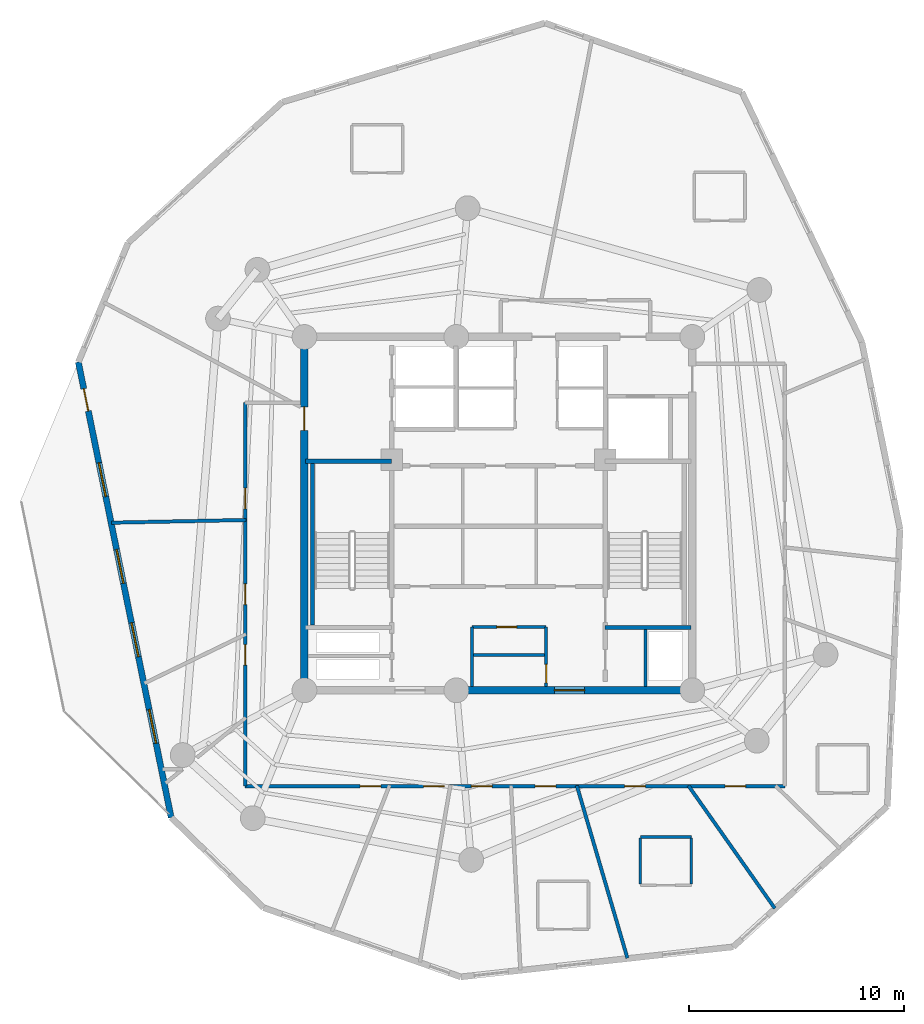
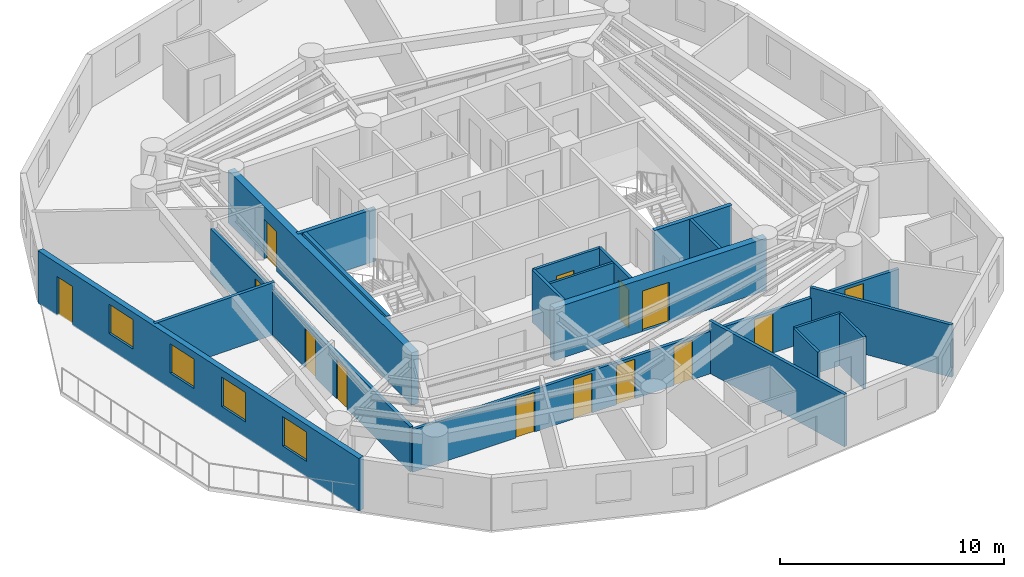
# One storey, part 3 of 8: 19 walls, 14 doors, 4 windows, 18 openings.
"""IFC4 building model written with IfcOpenShell, lengths in metres."""

from ifc_helpers import new_model, si_unit, direction, frame, frame_2d, origin, origin_with_axes, place, context, subcontext, project, spatial, rectangle, extrude, source, transform, mapped, material, layer, layer_set, type_object, element, fill, save


model = new_model("IFC4")

# Units and contexts
model_context = context("Model", 3, precision=1e-05, world=origin(), true_north=direction((0.0, 1.0)))
body_context = subcontext(model_context, "Body", "Model", "MODEL_VIEW")
ifc_project = project(units=[si_unit("LENGTHUNIT", "METRE"), si_unit("AREAUNIT", "SQUARE_METRE"), si_unit("VOLUMEUNIT", "CUBIC_METRE"), si_unit("PLANEANGLEUNIT", "RADIAN"), si_unit("MASSUNIT", "GRAM", prefix="KILO")], contexts=[model_context])

# Site, building, storey
site_placement = place(None, origin())
site = spatial("IfcSite", under=ifc_project, at=site_placement, CompositionType="ELEMENT")
building_placement = place(site_placement, origin())
building = spatial("IfcBuilding", under=site, at=building_placement, Name="Karkom Vertical University and Central Library", CompositionType="ELEMENT")
storey_placement = place(building_placement, frame((0.0, 0.0, 216.89990234375)))
storey = spatial("IfcBuildingStorey", under=building, at=storey_placement, Name="L63", CompositionType="ELEMENT", Elevation=216.89990234375)

# Wall, openings, door, windows
ifc_material_1 = material(Name="Brick-faced precast concrete C45/55", Category="masonry")
ifc_layer_1 = layer(ifc_material_1, 0.280029296875)
ifc_layer_set_1 = layer_set([ifc_layer_1], Name="Brick-faced precast concrete C45/55")
wall_type_1 = type_object("IfcWallType", Name="ENV-WL-BRK-280", PredefinedType="SOLIDWALL", material=ifc_layer_set_1)
wall_1_placement = place(storey_placement, frame((9.005615234375, 33.540283203125, 0.0), z_axis=(0.0, 0.0, 1.0), x_axis=(0.19971489877, -0.979854049953, 0.0)))
wall_1 = element("IfcWall", 1, at=wall_1_placement, inside=storey, type_object=wall_type_1, Name="Level 63 Brick-Faced Precast Facade Wall 12", PredefinedType="SOLIDWALL", context=body_context, shape_type="SweptSolid", body=[
    extrude(rectangle(XDim=21.58349609375, YDim=0.280029296875, at=frame_2d((10.791748046875, 0.0))), origin(), (0.0, 0.0, 1.0), 2.85009765625),
])
opening_1_placement = place(wall_1_placement, frame((4.77490234375, 0.0, 0.85009765625)))
opening_1 = element("IfcOpeningElement", 2, at=opening_1_placement, cuts=wall_1, Name="Opening WN-10", PredefinedType="OPENING", context=body_context, shape_type="SweptSolid", body=[
    extrude(rectangle(XDim=1.60009765625, YDim=1.60009765625, at=frame_2d((0.800048828125, 0.800048828125))), frame((0.0, 0.14990234375, 0.0), z_axis=(0.0, -1.0, 0.0), x_axis=(1.0, 0.0, 0.0)), (0.0, 0.0, 1.0), 0.300048828125),
])
opening_2_placement = place(wall_1_placement, frame((8.884033203125, 0.0, 0.85009765625)))
opening_2 = element("IfcOpeningElement", 3, at=opening_2_placement, cuts=wall_1, Name="Opening WN-10", PredefinedType="OPENING", context=body_context, shape_type="SweptSolid", body=[
    extrude(rectangle(XDim=1.60009765625, YDim=1.60009765625, at=frame_2d((0.800048828125, 0.800048828125))), frame((0.0, 0.14990234375, 0.0), z_axis=(0.0, -1.0, 0.0), x_axis=(1.0, 0.0, 0.0)), (0.0, 0.0, 1.0), 0.300048828125),
])
opening_3_placement = place(wall_1_placement, frame((12.35888671875, 0.0, 0.85009765625)))
opening_3 = element("IfcOpeningElement", 4, at=opening_3_placement, cuts=wall_1, Name="Opening WN-10", PredefinedType="OPENING", context=body_context, shape_type="SweptSolid", body=[
    extrude(rectangle(XDim=1.60009765625, YDim=1.60009765625, at=frame_2d((0.800048828125, 0.800048828125))), frame((0.0, 0.14990234375, 0.0), z_axis=(0.0, -1.0, 0.0), x_axis=(1.0, 0.0, 0.0)), (0.0, 0.0, 1.0), 0.300048828125),
])
opening_4_placement = place(wall_1_placement, frame((16.46142578125, 0.0, 0.85009765625)))
opening_4 = element("IfcOpeningElement", 5, at=opening_4_placement, cuts=wall_1, Name="Opening WN-10", PredefinedType="OPENING", context=body_context, shape_type="SweptSolid", body=[
    extrude(rectangle(XDim=1.60009765625, YDim=1.60009765625, at=frame_2d((0.800048828125, 0.800048828125))), frame((0.0, 0.14990234375, 0.0), z_axis=(0.0, -1.0, 0.0), x_axis=(1.0, 0.0, 0.0)), (0.0, 0.0, 1.0), 0.300048828125),
])
opening_5_placement = place(wall_1_placement, frame((1.273681640625, 0.0, 0.0)))
opening_5 = element("IfcOpeningElement", 6, at=opening_5_placement, cuts=wall_1, Name="Opening TD-1", PredefinedType="OPENING", context=body_context, shape_type="SweptSolid", body=[
    extrude(rectangle(XDim=1.050048828125, YDim=2.1201171875, at=frame_2d((0.52490234375, 1.06005859375))), frame((0.0, 0.14990234375, 0.0), z_axis=(0.0, -1.0, 0.0), x_axis=(1.0, 0.0, 0.0)), (0.0, 0.0, 1.0), 0.300048828125),
])
ifc_material_2 = material(Name="Thermally broken glazed aluminium terrace door", Category="aluminium")
door_type_1 = type_object("IfcDoorType", Name="ENV-DR-TERR", OperationType="NOTDEFINED", PredefinedType="DOOR", material=ifc_material_2)
shared_shape_1 = source(origin_with_axes(), body_context, "Body", "SweptSolid", [
    extrude(rectangle(XDim=1.050048828125, YDim=2.1201171875, at=frame_2d((0.52490234375, 1.06005859375))), frame((0.0, 0.02490234375, 0.0), z_axis=(0.0, -1.0, 0.0), x_axis=(1.0, 0.0, 0.0)), (0.0, 0.0, 1.0), 0.050048828125),
])
door_1_placement = place(opening_5_placement, origin())
door_1 = element("IfcDoor", 7, at=door_1_placement, inside=storey, type_object=door_type_1, Name="Level 63 Outdoor Terrace Access Door", OperationType="SINGLE_SWING_RIGHT", OverallHeight=2.1201171875, OverallWidth=1.050048828125, PredefinedType="DOOR", context=body_context, shape_type="MappedRepresentation", body=[
    mapped(shared_shape_1, transform((0.0, 0.0, 0.0), scale=1.0)),
])
fill(opening_5, door_1)
ifc_material_3 = material(Name="Aluminium thermal-break frame with solar-control IGU", Category="aluminium")
window_type = type_object("IfcWindowType", Name="ENV-WIN-WN-10", PartitioningType="SINGLE_PANEL", PredefinedType="WINDOW", material=ifc_material_3)
shared_shape_2 = source(origin_with_axes(), body_context, "Body", "SweptSolid", [
    extrude(rectangle(XDim=1.60009765625, YDim=1.60009765625, at=frame_2d((0.800048828125, 0.800048828125))), frame((0.0, 0.030029296875, 0.0), z_axis=(0.0, -1.0, 0.0), x_axis=(1.0, 0.0, 0.0)), (0.0, 0.0, 1.0), 0.06005859375),
])
window_1_placement = place(opening_1_placement, origin())
window_1 = element("IfcWindow", 8, at=window_1_placement, inside=storey, type_object=window_type, Name="Level 63 Punched Window 12.2", OverallHeight=1.60009765625, OverallWidth=1.60009765625, PartitioningType="SINGLE_PANEL", PredefinedType="WINDOW", context=body_context, shape_type="MappedRepresentation", body=[
    mapped(shared_shape_2, transform((0.0, 0.0, 0.0), scale=1.0)),
])
fill(opening_1, window_1)
window_2_placement = place(opening_2_placement, origin())
window_2 = element("IfcWindow", 9, at=window_2_placement, inside=storey, type_object=window_type, Name="Level 63 Punched Window 12.3", OverallHeight=1.60009765625, OverallWidth=1.60009765625, PartitioningType="SINGLE_PANEL", PredefinedType="WINDOW", context=body_context, shape_type="MappedRepresentation", body=[
    mapped(shared_shape_2, transform((0.0, 0.0, 0.0), scale=1.0)),
])
fill(opening_2, window_2)
window_3_placement = place(opening_3_placement, origin())
window_3 = element("IfcWindow", 10, at=window_3_placement, inside=storey, type_object=window_type, Name="Level 63 Punched Window 12.4", OverallHeight=1.60009765625, OverallWidth=1.60009765625, PartitioningType="SINGLE_PANEL", PredefinedType="WINDOW", context=body_context, shape_type="MappedRepresentation", body=[
    mapped(shared_shape_2, transform((0.0, 0.0, 0.0), scale=1.0)),
])
fill(opening_3, window_3)
window_4_placement = place(opening_4_placement, origin())
window_4 = element("IfcWindow", 11, at=window_4_placement, inside=storey, type_object=window_type, Name="Level 63 Punched Window 12.5", OverallHeight=1.60009765625, OverallWidth=1.60009765625, PartitioningType="SINGLE_PANEL", PredefinedType="WINDOW", context=body_context, shape_type="MappedRepresentation", body=[
    mapped(shared_shape_2, transform((0.0, 0.0, 0.0), scale=1.0)),
])
fill(opening_4, window_4)

# Wall, openings, doors
ifc_material_4 = material(Name="Insulated metal-stud drywall 160mm", Category="gypsum")
ifc_layer_2 = layer(ifc_material_4, 0.159912109375)
ifc_layer_set_2 = layer_set([ifc_layer_2], Name="Insulated metal-stud drywall 160mm")
wall_type_2 = type_object("IfcWallType", Name="INT-WL-COR-160", PredefinedType="PARTITIONING", material=ifc_layer_set_2)
wall_2_placement = place(storey_placement, frame((41.800048828125, 13.85009765625, 0.0), z_axis=(0.0, 0.0, 1.0), x_axis=(-1.0, 0.0, 0.0)))
wall_2 = element("IfcWall", 12, at=wall_2_placement, inside=storey, type_object=wall_type_2, Name="Level 63 Interior Partition Wall L63-CORW-CW-001", PredefinedType="PARTITIONING", context=body_context, shape_type="SweptSolid", body=[
    extrude(rectangle(XDim=25.050048828125, YDim=0.159912109375, at=frame_2d((12.52490234375, 0.0))), origin(), (0.0, 0.0, 1.0), 2.300048828125),
])
opening_6_placement = place(wall_2_placement, frame((10.634033203125, 0.0, 0.0)))
opening_6 = element("IfcOpeningElement", 13, at=opening_6_placement, cuts=wall_2, Name="Opening FD-RM2", PredefinedType="OPENING", context=body_context, shape_type="SweptSolid", body=[
    extrude(rectangle(XDim=0.9599609375, YDim=2.14990234375, at=frame_2d((0.47998046875, 1.074951171875))), frame((0.0, 0.08984375, 0.0), z_axis=(0.0, -1.0, 0.0), x_axis=(1.0, 0.0, 0.0)), (0.0, 0.0, 1.0), 0.179931640625),
])
opening_7_placement = place(wall_2_placement, frame((6.480224609375, 0.0, 0.0)))
opening_7 = element("IfcOpeningElement", 14, at=opening_7_placement, cuts=wall_2, Name="Opening FD-RM2", PredefinedType="OPENING", context=body_context, shape_type="SweptSolid", body=[
    extrude(rectangle(XDim=0.9599609375, YDim=2.14990234375, at=frame_2d((0.47998046875, 1.074951171875))), frame((0.0, 0.08984375, 0.0), z_axis=(0.0, -1.0, 0.0), x_axis=(1.0, 0.0, 0.0)), (0.0, 0.0, 1.0), 0.179931640625),
])
opening_8_placement = place(wall_2_placement, frame((18.75244140625, 0.0, 0.0)))
opening_8 = element("IfcOpeningElement", 15, at=opening_8_placement, cuts=wall_2, Name="Opening FD-RM2", PredefinedType="OPENING", context=body_context, shape_type="SweptSolid", body=[
    extrude(rectangle(XDim=0.9599609375, YDim=2.14990234375, at=frame_2d((0.47998046875, 1.074951171875))), frame((0.0, 0.08984375, 0.0), z_axis=(0.0, -1.0, 0.0), x_axis=(1.0, 0.0, 0.0)), (0.0, 0.0, 1.0), 0.179931640625),
])
opening_9_placement = place(wall_2_placement, frame((15.8076171875, 0.0, 0.0)))
opening_9 = element("IfcOpeningElement", 16, at=opening_9_placement, cuts=wall_2, Name="Opening FD-RM2", PredefinedType="OPENING", context=body_context, shape_type="SweptSolid", body=[
    extrude(rectangle(XDim=0.9599609375, YDim=2.14990234375, at=frame_2d((0.47998046875, 1.074951171875))), frame((0.0, 0.08984375, 0.0), z_axis=(0.0, -1.0, 0.0), x_axis=(1.0, 0.0, 0.0)), (0.0, 0.0, 1.0), 0.179931640625),
])
opening_10_placement = place(wall_2_placement, frame((13.593994140625, 0.0, 0.0)))
opening_10 = element("IfcOpeningElement", 17, at=opening_10_placement, cuts=wall_2, Name="Opening FD-RM2", PredefinedType="OPENING", context=body_context, shape_type="SweptSolid", body=[
    extrude(rectangle(XDim=0.9599609375, YDim=2.14990234375, at=frame_2d((0.47998046875, 1.074951171875))), frame((0.0, 0.08984375, 0.0), z_axis=(0.0, -1.0, 0.0), x_axis=(1.0, 0.0, 0.0)), (0.0, 0.0, 1.0), 0.179931640625),
])
opening_11_placement = place(wall_2_placement, frame((1.82177734375, 0.0, 0.0)))
opening_11 = element("IfcOpeningElement", 18, at=opening_11_placement, cuts=wall_2, Name="Opening FD-RM2", PredefinedType="OPENING", context=body_context, shape_type="SweptSolid", body=[
    extrude(rectangle(XDim=0.9599609375, YDim=2.14990234375, at=frame_2d((0.47998046875, 1.074951171875))), frame((0.0, 0.08984375, 0.0), z_axis=(0.0, -1.0, 0.0), x_axis=(1.0, 0.0, 0.0)), (0.0, 0.0, 1.0), 0.179931640625),
])
ifc_material_5 = material(Name="Fire-rated oak veneer door", Category="wood")
door_type_2 = type_object("IfcDoorType", Name="INT-DR-FRM2", OperationType="NOTDEFINED", PredefinedType="DOOR", material=ifc_material_5)
shared_shape_3 = source(origin_with_axes(), body_context, "Body", "SweptSolid", [
    extrude(rectangle(XDim=0.9599609375, YDim=2.14990234375, at=frame_2d((0.47998046875, 1.074951171875))), frame((0.0, 0.02490234375, 0.0), z_axis=(0.0, -1.0, 0.0), x_axis=(1.0, 0.0, 0.0)), (0.0, 0.0, 1.0), 0.050048828125),
])
door_2_placement = place(opening_6_placement, origin())
door_2 = element("IfcDoor", 19, at=door_2_placement, inside=storey, type_object=door_type_2, Name="Level 63 Room Entry Door 410", OperationType="SINGLE_SWING_RIGHT", OverallHeight=2.14990234375, OverallWidth=0.9599609375, PredefinedType="DOOR", context=body_context, shape_type="MappedRepresentation", body=[
    mapped(shared_shape_3, transform((0.0, 0.0, 0.0), scale=1.0)),
])
fill(opening_6, door_2)
door_3_placement = place(opening_7_placement, origin())
door_3 = element("IfcDoor", 20, at=door_3_placement, inside=storey, type_object=door_type_2, Name="Level 63 Room Entry Door 412", OperationType="SINGLE_SWING_RIGHT", OverallHeight=2.14990234375, OverallWidth=0.9599609375, PredefinedType="DOOR", context=body_context, shape_type="MappedRepresentation", body=[
    mapped(shared_shape_3, transform((0.0, 0.0, 0.0), scale=1.0)),
])
fill(opening_7, door_3)
door_4_placement = place(opening_8_placement, origin())
door_4 = element("IfcDoor", 21, at=door_4_placement, inside=storey, type_object=door_type_2, Name="Level 63 Room Entry Door 302", OperationType="SINGLE_SWING_LEFT", OverallHeight=2.14990234375, OverallWidth=0.9599609375, PredefinedType="DOOR", context=body_context, shape_type="MappedRepresentation", body=[
    mapped(shared_shape_3, transform((0.0, 0.0, 0.0), scale=1.0)),
])
fill(opening_8, door_4)
door_5_placement = place(opening_9_placement, origin())
door_5 = element("IfcDoor", 22, at=door_5_placement, inside=storey, type_object=door_type_2, Name="Level 63 Room Entry Door 303", OperationType="SINGLE_SWING_RIGHT", OverallHeight=2.14990234375, OverallWidth=0.9599609375, PredefinedType="DOOR", context=body_context, shape_type="MappedRepresentation", body=[
    mapped(shared_shape_3, transform((0.0, 0.0, 0.0), scale=1.0)),
])
fill(opening_9, door_5)
door_6_placement = place(opening_10_placement, origin())
door_6 = element("IfcDoor", 23, at=door_6_placement, inside=storey, type_object=door_type_2, Name="Level 63 Room Entry Door 304", OperationType="SINGLE_SWING_LEFT", OverallHeight=2.14990234375, OverallWidth=0.9599609375, PredefinedType="DOOR", context=body_context, shape_type="MappedRepresentation", body=[
    mapped(shared_shape_3, transform((0.0, 0.0, 0.0), scale=1.0)),
])
fill(opening_10, door_6)
door_7_placement = place(opening_11_placement, origin())
door_7 = element("IfcDoor", 24, at=door_7_placement, inside=storey, type_object=door_type_2, Name="Level 63 Room Entry Door 307", OperationType="SINGLE_SWING_RIGHT", OverallHeight=2.14990234375, OverallWidth=0.9599609375, PredefinedType="DOOR", context=body_context, shape_type="MappedRepresentation", body=[
    mapped(shared_shape_3, transform((0.0, 0.0, 0.0), scale=1.0)),
])
fill(opening_11, door_7)

wall_3_placement = place(storey_placement, frame((16.75, 13.85009765625, 0.0), z_axis=(0.0, 0.0, 1.0), x_axis=(0.0, 1.0, 0.0)))
wall_3 = element("IfcWall", 25, at=wall_3_placement, inside=storey, type_object=wall_type_2, Name="Level 63 Interior Partition Wall L63-CORW-CW-002", PredefinedType="PARTITIONING", context=body_context, shape_type="SweptSolid", body=[
    extrude(rectangle(XDim=17.7998046875, YDim=0.159912109375, at=frame_2d((8.89990234375, 0.0))), origin(), (0.0, 0.0, 1.0), 2.4501953125),
])
opening_12_placement = place(wall_3_placement, frame((8.425048828125, 0.0, 0.0)))
opening_12 = element("IfcOpeningElement", 26, at=opening_12_placement, cuts=wall_3, Name="Opening FD-RM2", PredefinedType="OPENING", context=body_context, shape_type="SweptSolid", body=[
    extrude(rectangle(XDim=0.9599609375, YDim=2.14990234375, at=frame_2d((0.47998046875, 1.074951171875))), frame((0.0, 0.08984375, 0.0), z_axis=(0.0, -1.0, 0.0), x_axis=(1.0, 0.0, 0.0)), (0.0, 0.0, 1.0), 0.179931640625),
])
opening_13_placement = place(wall_3_placement, frame((5.614990234375, 0.0, 0.0)))
opening_13 = element("IfcOpeningElement", 27, at=opening_13_placement, cuts=wall_3, Name="Opening FD-RM2", PredefinedType="OPENING", context=body_context, shape_type="SweptSolid", body=[
    extrude(rectangle(XDim=0.9599609375, YDim=2.14990234375, at=frame_2d((0.47998046875, 1.074951171875))), frame((0.0, 0.08984375, 0.0), z_axis=(0.0, -1.0, 0.0), x_axis=(1.0, 0.0, 0.0)), (0.0, 0.0, 1.0), 0.179931640625),
])
opening_14_placement = place(wall_3_placement, frame((12.875, 0.0, 0.0)))
opening_14 = element("IfcOpeningElement", 28, at=opening_14_placement, cuts=wall_3, Name="Opening FD-RM2", PredefinedType="OPENING", context=body_context, shape_type="SweptSolid", body=[
    extrude(rectangle(XDim=0.9599609375, YDim=2.14990234375, at=frame_2d((0.47998046875, 1.074951171875))), frame((0.0, 0.08984375, 0.0), z_axis=(0.0, -1.0, 0.0), x_axis=(1.0, 0.0, 0.0)), (0.0, 0.0, 1.0), 0.179931640625),
])
door_8_placement = place(opening_12_placement, origin())
door_8 = element("IfcDoor", 29, at=door_8_placement, inside=storey, type_object=door_type_2, Name="Level 63 Room Entry Door 300", OperationType="SINGLE_SWING_LEFT", OverallHeight=2.14990234375, OverallWidth=0.9599609375, PredefinedType="DOOR", context=body_context, shape_type="MappedRepresentation", body=[
    mapped(shared_shape_3, transform((0.0, 0.0, 0.0), scale=1.0)),
])
fill(opening_12, door_8)
door_9_placement = place(opening_13_placement, origin())
door_9 = element("IfcDoor", 30, at=door_9_placement, inside=storey, type_object=door_type_2, Name="Level 63 Room Entry Door 301", OperationType="SINGLE_SWING_RIGHT", OverallHeight=2.14990234375, OverallWidth=0.9599609375, PredefinedType="DOOR", context=body_context, shape_type="MappedRepresentation", body=[
    mapped(shared_shape_3, transform((0.0, 0.0, 0.0), scale=1.0)),
])
fill(opening_13, door_9)
door_10_placement = place(opening_14_placement, origin())
door_10 = element("IfcDoor", 31, at=door_10_placement, inside=storey, type_object=door_type_2, Name="Level 63 Room Entry Door 313", OperationType="SINGLE_SWING_LEFT", OverallHeight=2.14990234375, OverallWidth=0.9599609375, PredefinedType="DOOR", context=body_context, shape_type="MappedRepresentation", body=[
    mapped(shared_shape_3, transform((0.0, 0.0, 0.0), scale=1.0)),
])
fill(opening_14, door_10)

# Walls
wall_4_placement = place(storey_placement, frame((32.139892578125, 13.87890625, 0.0), z_axis=(0.0, 0.0, 1.0), x_axis=(0.281466023859, -0.959571194552, 0.0)))
element("IfcWall", 32, at=wall_4_placement, inside=storey, type_object=wall_type_2, Name="Level 63 Interior Partition Wall L63-PW-009", PredefinedType="PARTITIONING", context=body_context, shape_type="SweptSolid", body=[
    extrude(rectangle(XDim=8.343505859375, YDim=0.159912109375, at=frame_2d((4.171875, 0.0))), origin(), (0.0, 0.0, 1.0), 2.85009765625),
])
wall_5_placement = place(storey_placement, frame((37.31884765625, 13.87451171875, 0.0), z_axis=(0.0, 0.0, 1.0), x_axis=(0.575840662362, -0.817561943568, 0.0)))
element("IfcWall", 33, at=wall_5_placement, inside=storey, type_object=wall_type_2, Name="Level 63 Interior Partition Wall L63-PW-010", PredefinedType="PARTITIONING", context=body_context, shape_type="SweptSolid", body=[
    extrude(rectangle(XDim=6.965087890625, YDim=0.159912109375, at=frame_2d((3.482421875, 0.0))), origin(), (0.0, 0.0, 1.0), 2.85009765625),
])
wall_6_placement = place(storey_placement, frame((10.552978515625, 26.078857421875, 0.0), z_axis=(0.0, 0.0, 1.0), x_axis=(0.999797204263, 0.020138280671, 0.0)))
element("IfcWall", 34, at=wall_6_placement, inside=storey, type_object=wall_type_2, Name="Level 63 Interior Partition Wall L63-PW-002", PredefinedType="PARTITIONING", context=body_context, shape_type="SweptSolid", body=[
    extrude(rectangle(XDim=6.243408203125, YDim=0.159912109375, at=frame_2d((3.12158203125, 0.0))), origin(), (0.0, 0.0, 1.0), 2.85009765625),
])
ifc_material_6 = material(Name="Moisture-resistant drywall 120mm", Category="gypsum")
ifc_layer_3 = layer(ifc_material_6, 0.1201171875)
ifc_layer_set_3 = layer_set([ifc_layer_3], Name="Moisture-resistant drywall 120mm")
wall_type_3 = type_object("IfcWallType", Name="INT-WL-INT-120", PredefinedType="PARTITIONING", material=ifc_layer_set_3)
wall_7_placement = place(storey_placement, frame((27.280029296875, 19.93994140625, 0.0), z_axis=(0.0, 0.0, 1.0), x_axis=(1.0, 0.0, 0.0)))
element("IfcWall", 35, at=wall_7_placement, inside=storey, type_object=wall_type_3, Name="Level 63 Interior Partition Wall L63-CW-K4-DIV", PredefinedType="PARTITIONING", context=body_context, shape_type="SweptSolid", body=[
    extrude(rectangle(XDim=3.43994140625, YDim=0.1201171875, at=frame_2d((1.719970703125, 0.0))), origin(), (0.0, 0.0, 1.0), 2.85009765625),
])
ifc_layer_4 = layer(ifc_material_6, 0.1201171875)
ifc_layer_set_4 = layer_set([ifc_layer_4], Name="Moisture-resistant drywall 120mm")
wall_type_4 = type_object("IfcWallType", Name="INT-WL-INT-120F", PredefinedType="PARTITIONING", material=ifc_layer_set_4)
wall_8_placement = place(storey_placement, frame((37.450927734375, 11.492919921875, 0.0), z_axis=(0.0, 0.0, 1.0), x_axis=(-1.0, 0.0, 0.0)))
element("IfcWall", 36, at=wall_8_placement, inside=storey, type_object=wall_type_4, Name="Level 63 Interior Partition Wall L63-ENS-46-N", PredefinedType="PARTITIONING", context=body_context, shape_type="SweptSolid", body=[
    extrude(rectangle(XDim=2.35986328125, YDim=0.1201171875, at=frame_2d((1.179931640625, 0.0))), origin(), (0.0, 0.0, 1.0), 2.85009765625),
])
for number, where, z_axis, x_axis, name in (
    (37, (37.450927734375, 9.302978515625, 0.0), (0.0, 0.0, 1.0), (0.0, 1.0, 0.0), "Level 63 Interior Partition Wall L63-ENS-46-E"),
    (38, (35.091064453125, 11.443115234375, 0.0), (0.0, 0.0, 1.0), (0.0, -1.0, 0.0), "Level 63 Interior Partition Wall L63-ENS-46-W"),
):
    element("IfcWall", number, at=place(storey_placement, frame(where, z_axis=z_axis, x_axis=x_axis)), inside=storey, type_object=wall_type_4, Name=name, PredefinedType="PARTITIONING", context=body_context, shape_type="SweptSolid", body=[
        extrude(rectangle(XDim=2.14013671875, YDim=0.1201171875, at=frame_2d((1.070068359375, 0.0))), origin(), (0.0, 0.0, 1.0), 2.85009765625),
    ])

# Wall, opening, door
ifc_material_7 = material(Name="Metal-stud gypsum partition 140mm", Category="gypsum")
ifc_layer_5 = layer(ifc_material_7, 0.139892578125)
ifc_layer_set_5 = layer_set([ifc_layer_5], Name="Metal-stud gypsum partition 140mm")
wall_type_5 = type_object("IfcWallType", Name="INT-WL-SUB-140", PredefinedType="PARTITIONING", material=ifc_layer_set_5)
wall_9_placement = place(storey_placement, frame((27.280029296875, 21.239990234375, 0.0), z_axis=(0.0, 0.0, 1.0), x_axis=(1.0, 0.0, 0.0)))
wall_9 = element("IfcWall", 39, at=wall_9_placement, inside=storey, type_object=wall_type_5, Name="Level 63 Interior Partition Wall L63-CW-KBAY-N", PredefinedType="PARTITIONING", context=body_context, shape_type="SweptSolid", body=[
    extrude(rectangle(XDim=3.43994140625, YDim=0.139892578125, at=frame_2d((1.719970703125, 0.0))), origin(), (0.0, 0.0, 1.0), 2.85009765625),
])
opening_15_placement = place(wall_9_placement, frame((1.14990234375, 0.0, 0.0)))
opening_15 = element("IfcOpeningElement", 40, at=opening_15_placement, cuts=wall_9, Name="Opening D-SVC1", PredefinedType="OPENING", context=body_context, shape_type="SweptSolid", body=[
    extrude(rectangle(XDim=0.919921875, YDim=2.10009765625, at=frame_2d((0.4599609375, 1.050048828125))), frame((0.0, 0.080078125, 0.0), z_axis=(0.0, -1.0, 0.0), x_axis=(1.0, 0.0, 0.0)), (0.0, 0.0, 1.0), 0.159912109375),
])
ifc_material_8 = material(Name="Painted timber service door", Category="wood")
door_type_3 = type_object("IfcDoorType", Name="INT-DR-SVC1", OperationType="NOTDEFINED", PredefinedType="DOOR", material=ifc_material_8)
shared_shape_4 = source(origin_with_axes(), body_context, "Body", "SweptSolid", [
    extrude(rectangle(XDim=0.919921875, YDim=2.10009765625, at=frame_2d((0.4599609375, 1.050048828125))), frame((0.0, 0.02490234375, 0.0), z_axis=(0.0, -1.0, 0.0), x_axis=(1.0, 0.0, 0.0)), (0.0, 0.0, 1.0), 0.050048828125),
])
door_11_placement = place(opening_15_placement, origin())
door_11 = element("IfcDoor", 41, at=door_11_placement, inside=storey, type_object=door_type_3, Name="Level 63 Valve Cupboard Door", OperationType="SINGLE_SWING_LEFT", OverallHeight=2.10009765625, OverallWidth=0.919921875, PredefinedType="DOOR", context=body_context, shape_type="MappedRepresentation", body=[
    mapped(shared_shape_4, transform((0.0, 0.0, 0.0), scale=1.0)),
])
fill(opening_15, door_11)

# Wall
wall_10_placement = place(storey_placement, frame((27.280029296875, 18.48193359375, 0.0), z_axis=(0.0, 0.0, 1.0), x_axis=(0.0, 1.0, 0.0)))
element("IfcWall", 42, at=wall_10_placement, inside=storey, type_object=wall_type_5, Name="Level 63 Interior Partition Wall L63-CW-KBAY-W", PredefinedType="PARTITIONING", context=body_context, shape_type="SweptSolid", body=[
    extrude(rectangle(XDim=2.758056640625, YDim=0.139892578125, at=frame_2d((1.37890625, 0.0))), origin(), (0.0, 0.0, 1.0), 2.85009765625),
])

# Wall, opening, door
wall_11_placement = place(storey_placement, frame((30.719970703125, 18.48193359375, 0.0), z_axis=(0.0, 0.0, 1.0), x_axis=(0.0, 1.0, 0.0)))
wall_11 = element("IfcWall", 43, at=wall_11_placement, inside=storey, type_object=wall_type_5, Name="Level 63 Interior Partition Wall L63-CW-KBAY-E", PredefinedType="PARTITIONING", context=body_context, shape_type="SweptSolid", body=[
    extrude(rectangle(XDim=2.758056640625, YDim=0.139892578125, at=frame_2d((1.37890625, 0.0))), origin(), (0.0, 0.0, 1.0), 2.85009765625),
])
opening_16_placement = place(wall_11_placement, frame((0.159912109375, 0.0, 0.0)))
opening_16 = element("IfcOpeningElement", 44, at=opening_16_placement, cuts=wall_11, Name="Opening FD-BTH1", PredefinedType="OPENING", context=body_context, shape_type="SweptSolid", body=[
    extrude(rectangle(XDim=0.860107421875, YDim=2.10009765625, at=frame_2d((0.43017578125, 1.050048828125))), frame((0.0, 0.080078125, 0.0), z_axis=(0.0, -1.0, 0.0), x_axis=(1.0, 0.0, 0.0)), (0.0, 0.0, 1.0), 0.159912109375),
])
ifc_material_9 = material(Name="Fire-rated moisture-resistant oak door", Category="wood")
door_type_4 = type_object("IfcDoorType", Name="INT-DR-FBTH1", OperationType="NOTDEFINED", PredefinedType="DOOR", material=ifc_material_9)
shared_shape_5 = source(origin_with_axes(), body_context, "Body", "SweptSolid", [
    extrude(rectangle(XDim=0.860107421875, YDim=2.10009765625, at=frame_2d((0.43017578125, 1.050048828125))), frame((0.0, 0.02490234375, 0.0), z_axis=(0.0, -1.0, 0.0), x_axis=(1.0, 0.0, 0.0)), (0.0, 0.0, 1.0), 0.050048828125),
])
door_12_placement = place(opening_16_placement, origin())
door_12 = element("IfcDoor", 45, at=door_12_placement, inside=storey, type_object=door_type_4, Name="Level 63 Metering Cupboard Door", OperationType="SINGLE_SWING_RIGHT", OverallHeight=2.10009765625, OverallWidth=0.860107421875, PredefinedType="DOOR", context=body_context, shape_type="MappedRepresentation", body=[
    mapped(shared_shape_5, transform((0.0, 0.0, 0.0), scale=1.0)),
])
fill(opening_16, door_12)

# Wall
ifc_layer_6 = layer(ifc_material_7, 0.139892578125)
ifc_layer_set_6 = layer_set([ifc_layer_6], Name="Metal-stud gypsum partition 140mm")
wall_type_6 = type_object("IfcWallType", Name="INT-WL-SUB-140H", PredefinedType="PARTITIONING", material=ifc_layer_set_6)
wall_12_placement = place(storey_placement, frame((35.320068359375, 18.48193359375, 0.0), z_axis=(0.0, 0.0, 1.0), x_axis=(0.0, 1.0, 0.0)))
element("IfcWall", 46, at=wall_12_placement, inside=storey, type_object=wall_type_6, Name="Level 63 Interior Partition Wall L63-CW-RIS-E", PredefinedType="PARTITIONING", context=body_context, shape_type="SweptSolid", body=[
    extrude(rectangle(XDim=2.629150390625, YDim=0.139892578125, at=frame_2d((1.314453125, 0.0))), origin(), (0.0, 0.0, 1.0), 2.85009765625),
])

# Wall, opening, door
ifc_material_10 = material(Name="Concrete C45/55", Category="concrete")
ifc_layer_7 = layer(ifc_material_10, 0.35009765625)
ifc_layer_set_7 = layer_set([ifc_layer_7], Name="Concrete C45/55")
wall_type_7 = type_object("IfcWallType", Name="STR-WL-CW-350", PredefinedType="SHEAR", material=ifc_layer_set_7)
wall_13_placement = place(storey_placement, frame((26.550048828125, 18.300048828125, 0.0), z_axis=(0.0, 0.0, 1.0), x_axis=(1.0, 0.0, 0.0)))
wall_13 = element("IfcWall", 47, at=wall_13_placement, inside=storey, type_object=wall_type_7, Name="Level 63 Central Core Shear Wall SW2", PredefinedType="SHEAR", context=body_context, shape_type="SweptSolid", body=[
    extrude(rectangle(XDim=10.949951171875, YDim=0.35009765625, at=frame_2d((5.47509765625, 0.0))), origin(), (0.0, 0.0, 1.0), 2.85009765625),
])
opening_17_placement = place(wall_13_placement, frame((4.550048828125, 0.0, 0.0)))
opening_17 = element("IfcOpeningElement", 48, at=opening_17_placement, cuts=wall_13, Name="Opening FD-CLB", PredefinedType="OPENING", context=body_context, shape_type="SweptSolid", body=[
    extrude(rectangle(XDim=1.39990234375, YDim=2.199951171875, at=frame_2d((0.699951171875, 1.10009765625))), frame((0.0, 0.18505859375, 0.0), z_axis=(0.0, -1.0, 0.0), x_axis=(1.0, 0.0, 0.0)), (0.0, 0.0, 1.0), 0.3701171875),
])
ifc_material_11 = material(Name="Painted steel fire door", Category="steel")
door_type_5 = type_object("IfcDoorType", Name="INT-DR-CLB", OperationType="DOUBLE_DOOR_SINGLE_SWING", PredefinedType="DOOR", material=ifc_material_11)
shared_shape_6 = source(origin_with_axes(), body_context, "Body", "SweptSolid", [
    extrude(rectangle(XDim=1.39990234375, YDim=2.199951171875, at=frame_2d((0.699951171875, 1.10009765625))), frame((0.0, 0.02490234375, 0.0), z_axis=(0.0, -1.0, 0.0), x_axis=(1.0, 0.0, 0.0)), (0.0, 0.0, 1.0), 0.050048828125),
])
door_13_placement = place(opening_17_placement, origin())
door_13 = element("IfcDoor", 49, at=door_13_placement, inside=storey, type_object=door_type_5, Name="Level 63 South Core Lobby East Exit Door", OperationType="DOUBLE_DOOR_SINGLE_SWING", OverallHeight=2.199951171875, OverallWidth=1.39990234375, PredefinedType="DOOR", context=body_context, shape_type="MappedRepresentation", body=[
    mapped(shared_shape_6, transform((0.0, 0.0, 0.0), scale=1.0)),
])
fill(opening_17, door_13)

wall_14_placement = place(storey_placement, frame((19.5, 34.699951171875, 0.0), z_axis=(0.0, 0.0, 1.0), x_axis=(0.0, -1.0, 0.0)))
wall_14 = element("IfcWall", 50, at=wall_14_placement, inside=storey, type_object=wall_type_7, Name="Level 63 Central Core Shear Wall WW", PredefinedType="SHEAR", context=body_context, shape_type="SweptSolid", body=[
    extrude(rectangle(XDim=16.39990234375, YDim=0.35009765625, at=frame_2d((8.199951171875, 0.0))), origin(), (0.0, 0.0, 1.0), 2.85009765625),
])
opening_18_placement = place(wall_14_placement, frame((3.239990234375, 0.0, 0.0)))
opening_18 = element("IfcOpeningElement", 51, at=opening_18_placement, cuts=wall_14, Name="Opening FD-FFL", PredefinedType="OPENING", context=body_context, shape_type="SweptSolid", body=[
    extrude(rectangle(XDim=1.10009765625, YDim=2.14990234375, at=frame_2d((0.550048828125, 1.074951171875))), frame((0.0, 0.18505859375, 0.0), z_axis=(0.0, -1.0, 0.0), x_axis=(1.0, 0.0, 0.0)), (0.0, 0.0, 1.0), 0.3701171875),
])
ifc_material_12 = material(Name="Painted steel smoke-seal fire door", Category="steel")
door_type_6 = type_object("IfcDoorType", Name="INT-DR-FFL", OperationType="NOTDEFINED", PredefinedType="DOOR", material=ifc_material_12)
shared_shape_7 = source(origin_with_axes(), body_context, "Body", "SweptSolid", [
    extrude(rectangle(XDim=1.10009765625, YDim=2.14990234375, at=frame_2d((0.550048828125, 1.074951171875))), frame((0.0, 0.02490234375, 0.0), z_axis=(0.0, -1.0, 0.0), x_axis=(1.0, 0.0, 0.0)), (0.0, 0.0, 1.0), 0.050048828125),
])
door_14_placement = place(opening_18_placement, origin())
door_14 = element("IfcDoor", 52, at=door_14_placement, inside=storey, type_object=door_type_6, Name="Level 63 West Corridor Firefighting Lobby Door", OperationType="SINGLE_SWING_RIGHT", OverallHeight=2.14990234375, OverallWidth=1.10009765625, PredefinedType="DOOR", context=body_context, shape_type="MappedRepresentation", body=[
    mapped(shared_shape_7, transform((0.0, 0.0, 0.0), scale=1.0)),
])
fill(opening_18, door_14)

# Walls
ifc_layer_8 = layer(ifc_material_10, 0.199951171875)
ifc_layer_set_8 = layer_set([ifc_layer_8], Name="Concrete C45/55")
wall_type_8 = type_object("IfcWallType", Name="STR-WL-ST-200", PredefinedType="SHEAR", material=ifc_layer_set_8)
wall_15_placement = place(storey_placement, frame((19.875, 21.320068359375, 0.0), z_axis=(0.0, 0.0, 1.0), x_axis=(0.0, 1.0, 0.0)))
element("IfcWall", 53, at=wall_15_placement, inside=storey, type_object=wall_type_8, Name="Level 63 Core Shaft Wall L63-CW-ST1-W", PredefinedType="SHEAR", context=body_context, shape_type="SweptSolid", body=[
    extrude(rectangle(XDim=7.5, YDim=0.199951171875, at=frame_2d((3.75, 0.0))), origin(), (0.0, 0.0, 1.0), 2.85009765625),
])
for number, where, z_axis, x_axis, name in (
    (54, (33.455078125, 21.215087890625, 0.0), (0.0, 0.0, 1.0), (1.0, 0.0, 0.0), "Level 63 Core Shaft Wall L63-CW-ST2-S"),
    (55, (19.550048828125, 28.925048828125, 0.0), (0.0, 0.0, 1.0), (1.0, 0.0, 0.0), "Level 63 Core Shaft Wall L63-CW-ST1-N"),
):
    element("IfcWall", number, at=place(storey_placement, frame(where, z_axis=z_axis, x_axis=x_axis)), inside=storey, type_object=wall_type_8, Name=name, PredefinedType="SHEAR", context=body_context, shape_type="SweptSolid", body=[
        extrude(rectangle(XDim=3.994873046875, YDim=0.199951171875, at=frame_2d((1.99755859375, 0.0))), origin(), (0.0, 0.0, 1.0), 2.85009765625),
    ])

save(model, "model.ifc")
